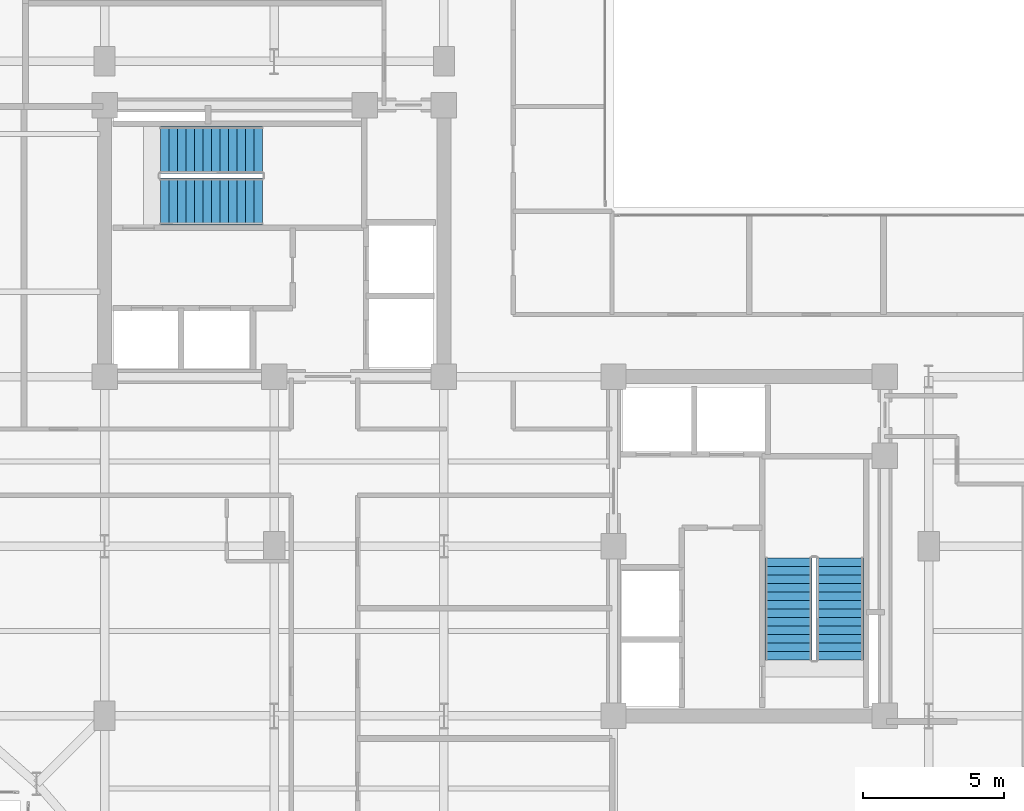
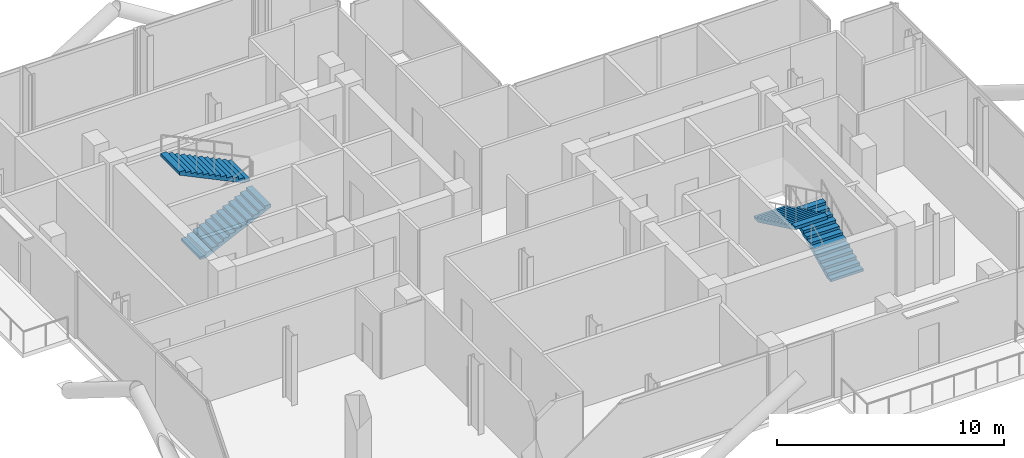
# One storey, part 22 of 25: 4 stair flights, 2 elements without a shape of their own.
"""IFC4 building model written with IfcOpenShell, lengths in metres."""

from ifc_helpers import new_model, si_unit, direction, frame, origin, place, context, subcontext, project, spatial, polyline, outline, extrude, material, type_object, element, aggregate, save


model = new_model("IFC4")

# Units and contexts
model_context = context("Model", 3, precision=1e-05, world=origin(), true_north=direction((0.0, 1.0)))
body_context = subcontext(model_context, "Body", "Model", "MODEL_VIEW")
ifc_project = project(units=[si_unit("LENGTHUNIT", "METRE"), si_unit("AREAUNIT", "SQUARE_METRE"), si_unit("VOLUMEUNIT", "CUBIC_METRE"), si_unit("PLANEANGLEUNIT", "RADIAN"), si_unit("MASSUNIT", "GRAM", prefix="KILO"), si_unit("THERMODYNAMICTEMPERATUREUNIT", "KELVIN"), si_unit("POWERUNIT", "WATT")], contexts=[model_context])

# Site, building, storey
site_placement = place(None, origin())
site = spatial("IfcSite", under=ifc_project, at=site_placement, CompositionType="ELEMENT")
building_placement = place(site_placement, origin())
building = spatial("IfcBuilding", under=site, at=building_placement, Name="Svarakhadi Broadcast Tower", CompositionType="ELEMENT")
storey_placement = place(building_placement, frame((0.0, 0.0, 227.39990234375)))
storey = spatial("IfcBuildingStorey", under=building, at=storey_placement, Name="L56", CompositionType="ELEMENT", Elevation=227.39990234375)

# Stair, stair flights
ifc_material = material(Name="Concrete C40/50 (IS 456 M50)", Category="concrete")
stair_type = type_object("IfcStairType", Name="Stair_Exit_Core", PredefinedType="HALF_TURN_STAIR", material=ifc_material)
stair_1_placement = place(storey_placement, origin())
stair_1 = element("IfcStair", 1, at=stair_1_placement, inside=storey, type_object=stair_type, Name="L56 West Core Protected Exit Stair ST-01", PredefinedType="HALF_TURN_STAIR")
stair_flight_type = type_object("IfcStairFlightType", Name="Flight_RC_1680", PredefinedType="STRAIGHT", material=ifc_material)
stair_flight_1_placement = place(storey_placement, frame((7.97998046875, 24.18994140625, 0.0), z_axis=(0.0, 0.0, 1.0), x_axis=(1.0, 0.0, 0.0)))
stair_flight_1 = element("IfcStairFlight", 2, at=stair_flight_1_placement, type_object=stair_flight_type, Name="ST-01 flight 1", NumberOfRisers=13, NumberOfTreads=12, PredefinedType="STRAIGHT", RiserHeight=0.144230769, TreadLength=0.3, context=body_context, shape_type="SweptSolid", body=[
    extrude(outline(polyline([(0.0, 0.0), (0.0, 0.144287109375), (0.300048828125, 0.144287109375), (0.300048828125, 0.28857421875), (0.60009765625, 0.28857421875), (0.60009765625, 0.4326171875), (0.89990234375, 0.4326171875), (0.89990234375, 0.576904296875), (1.199951171875, 0.576904296875), (1.199951171875, 0.72119140625), (1.5, 0.72119140625), (1.5, 0.865478515625), (1.800048828125, 0.865478515625), (1.800048828125, 1.009521484375), (2.10009765625, 1.009521484375), (2.10009765625, 1.15380859375), (2.39990234375, 1.15380859375), (2.39990234375, 1.298095703125), (2.699951171875, 1.298095703125), (2.699951171875, 1.4423828125), (3.0, 1.4423828125), (3.0, 1.58642578125), (3.300048828125, 1.58642578125), (3.300048828125, 1.730712890625), (3.60009765625, 1.730712890625), (3.60009765625, 1.875), (3.60009765625, 1.564453125), (0.345947265625, 0.0), (0.0, 0.0)])), frame((0.0, 0.830078125, 0.0), z_axis=(0.0, -1.0, 0.0), x_axis=(1.0, 0.0, 0.0)), (0.0, 0.0, 1.0), 1.659912109375),
])
stair_flight_2_placement = place(storey_placement, frame((11.580078125, 26.010009765625, 1.875), z_axis=(0.0, 0.0, 1.0), x_axis=(-1.0, 0.0, 0.0)))
stair_flight_2 = element("IfcStairFlight", 3, at=stair_flight_2_placement, type_object=stair_flight_type, Name="ST-01 flight 2", NumberOfRisers=13, NumberOfTreads=12, PredefinedType="STRAIGHT", RiserHeight=0.144230769, TreadLength=0.3, context=body_context, shape_type="SweptSolid", body=[
    extrude(outline(polyline([(0.0, 0.0), (0.0, 0.144287109375), (0.300048828125, 0.144287109375), (0.300048828125, 0.28857421875), (0.60009765625, 0.28857421875), (0.60009765625, 0.4326171875), (0.89990234375, 0.4326171875), (0.89990234375, 0.576904296875), (1.199951171875, 0.576904296875), (1.199951171875, 0.72119140625), (1.5, 0.72119140625), (1.5, 0.865478515625), (1.800048828125, 0.865478515625), (1.800048828125, 1.009521484375), (2.10009765625, 1.009521484375), (2.10009765625, 1.15380859375), (2.39990234375, 1.15380859375), (2.39990234375, 1.298095703125), (2.699951171875, 1.298095703125), (2.699951171875, 1.4423828125), (3.0, 1.4423828125), (3.0, 1.58642578125), (3.300048828125, 1.58642578125), (3.300048828125, 1.730712890625), (3.60009765625, 1.730712890625), (3.60009765625, 1.875), (3.60009765625, 1.564453125), (0.345947265625, 0.0), (0.0, 0.0)])), frame((0.0, 0.830078125, 0.0), z_axis=(0.0, -1.0, 0.0), x_axis=(1.0, 0.0, 0.0)), (0.0, 0.0, 1.0), 1.659912109375),
])
aggregate(stair_1, [stair_flight_1, stair_flight_2])

stair_2_placement = place(storey_placement, origin())
stair_2 = element("IfcStair", 4, at=stair_2_placement, inside=storey, type_object=stair_type, Name="L56 East Core Protected Exit Stair ST-02", PredefinedType="HALF_TURN_STAIR")
stair_flight_3_placement = place(storey_placement, frame((32.010009765625, 7.97998046875, 0.0), z_axis=(0.0, 0.0, 1.0), x_axis=(0.0, 1.0, 0.0)))
stair_flight_3 = element("IfcStairFlight", 5, at=stair_flight_3_placement, type_object=stair_flight_type, Name="ST-02 flight 1", NumberOfRisers=13, NumberOfTreads=12, PredefinedType="STRAIGHT", RiserHeight=0.144230769, TreadLength=0.3, context=body_context, shape_type="SweptSolid", body=[
    extrude(outline(polyline([(0.0, 0.0), (0.0, 0.144287109375), (0.300048828125, 0.144287109375), (0.300048828125, 0.28857421875), (0.60009765625, 0.28857421875), (0.60009765625, 0.4326171875), (0.89990234375, 0.4326171875), (0.89990234375, 0.576904296875), (1.199951171875, 0.576904296875), (1.199951171875, 0.72119140625), (1.5, 0.72119140625), (1.5, 0.865478515625), (1.800048828125, 0.865478515625), (1.800048828125, 1.009521484375), (2.10009765625, 1.009521484375), (2.10009765625, 1.15380859375), (2.39990234375, 1.15380859375), (2.39990234375, 1.298095703125), (2.699951171875, 1.298095703125), (2.699951171875, 1.4423828125), (3.0, 1.4423828125), (3.0, 1.58642578125), (3.300048828125, 1.58642578125), (3.300048828125, 1.730712890625), (3.60009765625, 1.730712890625), (3.60009765625, 1.875), (3.60009765625, 1.564453125), (0.345947265625, 0.0), (0.0, 0.0)])), frame((0.0, 0.830078125, 0.0), z_axis=(0.0, -1.0, 0.0), x_axis=(1.0, 0.0, 0.0)), (0.0, 0.0, 1.0), 1.659912109375),
])
stair_flight_4_placement = place(storey_placement, frame((30.18994140625, 11.580078125, 1.875), z_axis=(0.0, 0.0, 1.0), x_axis=(0.0, -1.0, 0.0)))
stair_flight_4 = element("IfcStairFlight", 6, at=stair_flight_4_placement, type_object=stair_flight_type, Name="ST-02 flight 2", NumberOfRisers=13, NumberOfTreads=12, PredefinedType="STRAIGHT", RiserHeight=0.144230769, TreadLength=0.3, context=body_context, shape_type="SweptSolid", body=[
    extrude(outline(polyline([(0.0, 0.0), (0.0, 0.144287109375), (0.300048828125, 0.144287109375), (0.300048828125, 0.28857421875), (0.60009765625, 0.28857421875), (0.60009765625, 0.4326171875), (0.89990234375, 0.4326171875), (0.89990234375, 0.576904296875), (1.199951171875, 0.576904296875), (1.199951171875, 0.72119140625), (1.5, 0.72119140625), (1.5, 0.865478515625), (1.800048828125, 0.865478515625), (1.800048828125, 1.009521484375), (2.10009765625, 1.009521484375), (2.10009765625, 1.15380859375), (2.39990234375, 1.15380859375), (2.39990234375, 1.298095703125), (2.699951171875, 1.298095703125), (2.699951171875, 1.4423828125), (3.0, 1.4423828125), (3.0, 1.58642578125), (3.300048828125, 1.58642578125), (3.300048828125, 1.730712890625), (3.60009765625, 1.730712890625), (3.60009765625, 1.875), (3.60009765625, 1.564453125), (0.345947265625, 0.0), (0.0, 0.0)])), frame((0.0, 0.830078125, 0.0), z_axis=(0.0, -1.0, 0.0), x_axis=(1.0, 0.0, 0.0)), (0.0, 0.0, 1.0), 1.659912109375),
])
aggregate(stair_2, [stair_flight_3, stair_flight_4])

save(model, "model.ifc")
